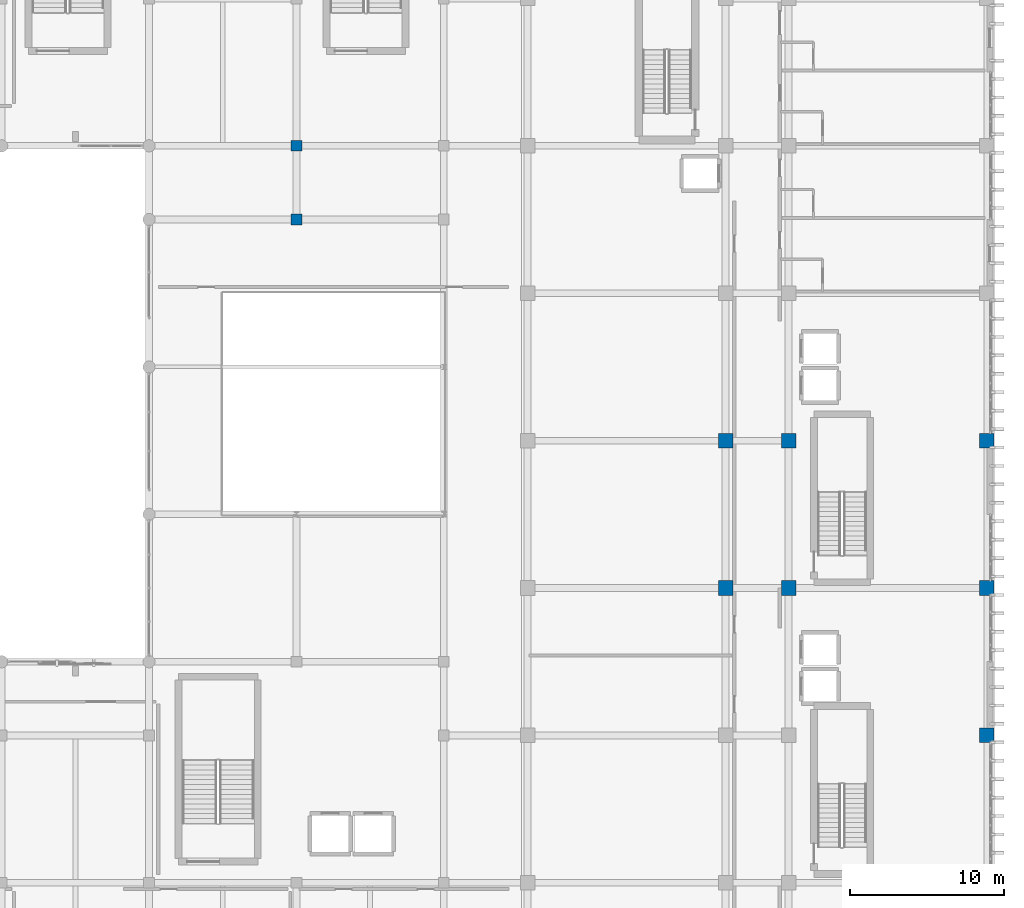
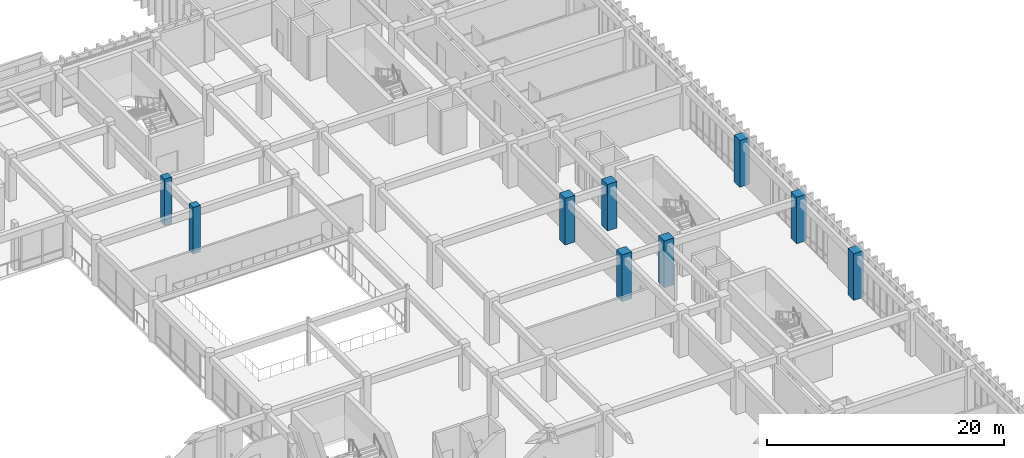
# One storey, part 4 of 133: 9 columns.
"""IFC4 building model written with IfcOpenShell, lengths in metres."""

from ifc_helpers import new_model, si_unit, direction, frame, origin, origin_2d, place, context, subcontext, project, spatial, rectangle, extrude, material, material_profile, profile_set, type_object, element, save


model = new_model("IFC4")

# Units and contexts
model_context = context("Model", 3, precision=1e-05, world=origin(), true_north=direction((0.0, 1.0)))
body_context = subcontext(model_context, "Body", "Model", "MODEL_VIEW")
ifc_project = project(units=[si_unit("LENGTHUNIT", "METRE"), si_unit("AREAUNIT", "SQUARE_METRE"), si_unit("VOLUMEUNIT", "CUBIC_METRE"), si_unit("PLANEANGLEUNIT", "RADIAN"), si_unit("MASSUNIT", "GRAM", prefix="KILO")], contexts=[model_context])

# Site, building, storey
site_placement = place(None, origin())
site = spatial("IfcSite", under=ifc_project, at=site_placement, CompositionType="ELEMENT")
building_placement = place(site_placement, origin())
building = spatial("IfcBuilding", under=site, at=building_placement, Name="Nakhvara Creek Congress Hotel", CompositionType="ELEMENT")
storey_placement = place(building_placement, frame((0.0, 0.0, 11.39990234375)))
storey = spatial("IfcBuildingStorey", under=building, at=storey_placement, Name="L02", CompositionType="ELEMENT", Elevation=11.39990234375)

# Columns
ifc_material = material(Name="Concrete C50/60", Category="concrete")
ifc_material_profile_1 = material_profile(ifc_material, rectangle(XDim=0.699951171875, YDim=0.699951171875, at=origin_2d()), Name="RC-COL 700x700", Category="LoadBearing")
ifc_profile_set_1 = profile_set([ifc_material_profile_1], Name="Concrete C50/60")
column_type_1 = type_object("IfcColumnType", Name="COL-RC-700", PredefinedType="COLUMN", material=ifc_profile_set_1)
for number, where, z_axis, x_axis, name in (
    (1, (134.39990234375, 72.0, 0.0), (0.0, 0.0, 1.0), (1.0, 0.0, 0.0), "Column C06-L02-1142"),
    (2, (134.39990234375, 76.800048828125, 0.0), (0.0, 0.0, 1.0), (1.0, 0.0, 0.0), "Column C06-L02-1143"),
):
    element("IfcColumn", number, at=place(storey_placement, frame(where, z_axis=z_axis, x_axis=x_axis)), inside=storey, type_object=column_type_1, Name=name, PredefinedType="COLUMN", context=body_context, shape_type="SweptSolid", body=[
        extrude(rectangle(XDim=0.699951171875, YDim=0.699951171875, at=origin_2d()), origin(), (0.0, 0.0, 1.0), 4.800048828125),
    ])
ifc_material_profile_2 = material_profile(ifc_material, rectangle(XDim=0.949951171875, YDim=0.949951171875, at=origin_2d()), Name="RC-COL 950x950", Category="LoadBearing")
ifc_profile_set_2 = profile_set([ifc_material_profile_2], Name="Concrete C50/60")
column_type_2 = type_object("IfcColumnType", Name="COL-RC-950", PredefinedType="COLUMN", material=ifc_profile_set_2)
for number, where, z_axis, x_axis, name in (
    (3, (162.35009765625, 48.0, 0.0), (0.0, 0.0, 1.0), (1.0, 0.0, 0.0), "Column C17-L02-1177"),
    (4, (162.35009765625, 57.60009765625, 0.0), (0.0, 0.0, 1.0), (1.0, 0.0, 0.0), "Column C17-L02-1178"),
    (5, (166.449951171875, 48.0, 0.0), (0.0, 0.0, 1.0), (1.0, 0.0, 0.0), "Column C17-L02-1191"),
    (6, (166.449951171875, 57.60009765625, 0.0), (0.0, 0.0, 1.0), (1.0, 0.0, 0.0), "Column C17-L02-1192"),
    (7, (179.35009765625, 38.39990234375, 0.0), (0.0, 0.0, 1.0), (1.0, 0.0, 0.0), "Column C17-L02-1204"),
    (8, (179.35009765625, 48.0, 0.0), (0.0, 0.0, 1.0), (1.0, 0.0, 0.0), "Column C17-L02-1205"),
    (9, (179.35009765625, 57.60009765625, 0.0), (0.0, 0.0, 1.0), (1.0, 0.0, 0.0), "Column C17-L02-1206"),
):
    element("IfcColumn", number, at=place(storey_placement, frame(where, z_axis=z_axis, x_axis=x_axis)), inside=storey, type_object=column_type_2, Name=name, PredefinedType="COLUMN", context=body_context, shape_type="SweptSolid", body=[
        extrude(rectangle(XDim=0.949951171875, YDim=0.949951171875, at=origin_2d()), origin(), (0.0, 0.0, 1.0), 4.800048828125),
    ])

save(model, "model.ifc")
